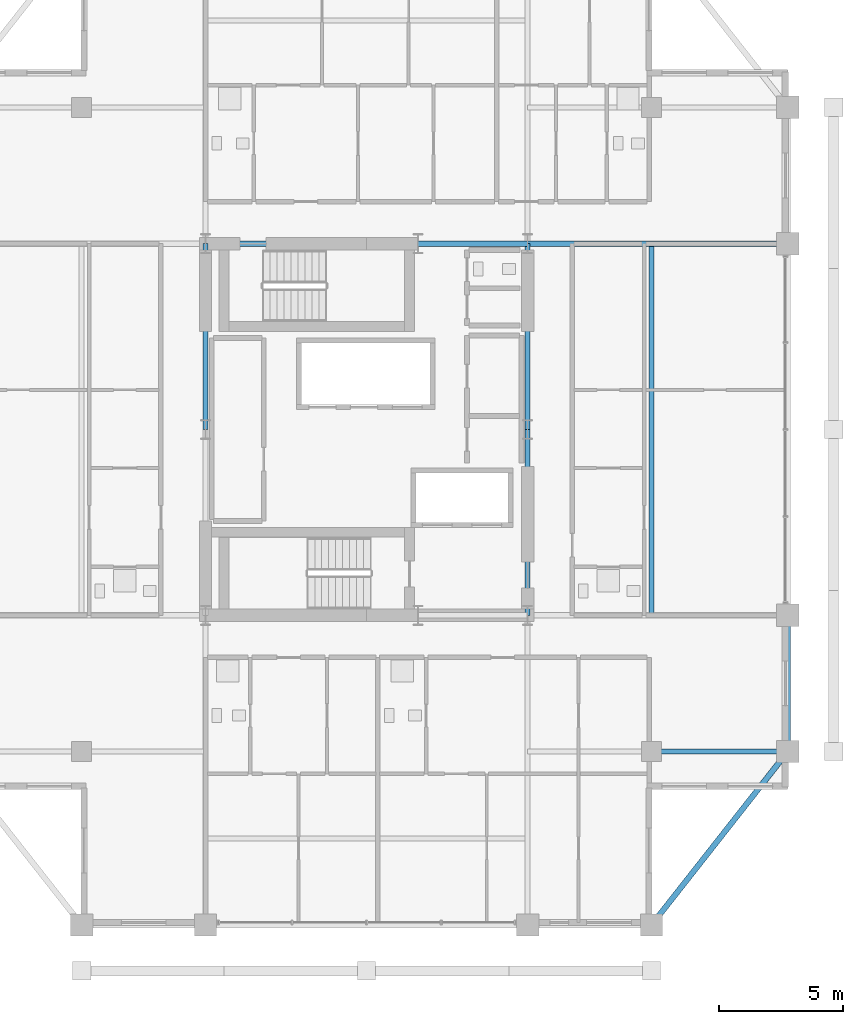
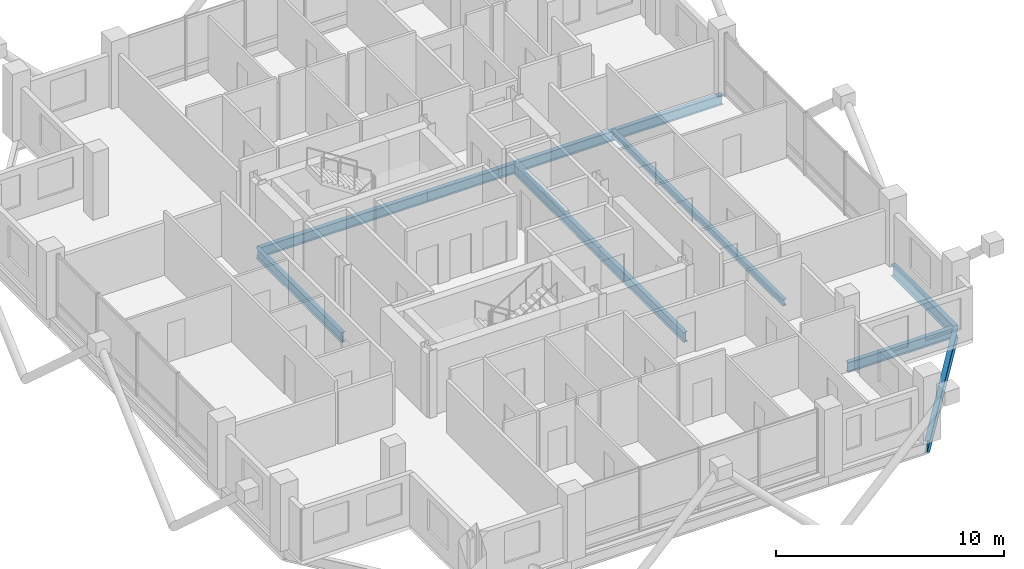
# One storey, part 10 of 24: 10 beams.
"""IFC4 building model written with IfcOpenShell, lengths in metres."""

from ifc_helpers import new_model, si_unit, direction, frame, origin, origin_2d, place, context, subcontext, project, spatial, i_section, extrude, material, material_profile, profile_set, type_object, element, save


model = new_model("IFC4")

# Units and contexts
model_context = context("Model", 3, precision=1e-05, world=origin(), true_north=direction((0.0, 1.0)))
body_context = subcontext(model_context, "Body", "Model", "MODEL_VIEW")
ifc_project = project(units=[si_unit("LENGTHUNIT", "METRE"), si_unit("AREAUNIT", "SQUARE_METRE"), si_unit("VOLUMEUNIT", "CUBIC_METRE"), si_unit("PLANEANGLEUNIT", "RADIAN"), si_unit("MASSUNIT", "GRAM", prefix="KILO")], contexts=[model_context])

# Site, building, storey
site_placement = place(None, origin())
site = spatial("IfcSite", under=ifc_project, at=site_placement, CompositionType="ELEMENT")
building_placement = place(site_placement, origin())
building = spatial("IfcBuilding", under=site, at=building_placement, Name="Barlavira Tower and Art Museum", CompositionType="ELEMENT")
storey_placement = place(building_placement, frame((0.0, 0.0, 225.89990234375)))
storey = spatial("IfcBuildingStorey", under=building, at=storey_placement, Name="L58", CompositionType="ELEMENT", Elevation=225.89990234375)

# Beams
ifc_material = material(Name="Steel S355", Category="steel")
ifc_material_profile_1 = material_profile(ifc_material, i_section(OverallWidth=0.22998046875, OverallDepth=0.616943359375, WebThickness=0.01318359375, FlangeThickness=0.022216796875, at=origin_2d()), Name="W610x140.0")
ifc_profile_set_1 = profile_set([ifc_material_profile_1], Name="Steel S355")
beam_type_1 = type_object("IfcBeamType", Name="Upper Shaft Spandrel Edge Beam W610x140 Steel S355", PredefinedType="SPANDREL", material=ifc_profile_set_1)
beam_1_placement = place(storey_placement, frame((11.5, -20.0, -0.5283203125), z_axis=(0.617821551932, 0.786318338822, 0.0), x_axis=(-0.786318338822, 0.617821551932, 0.0)))
element("IfcBeam", 1, at=beam_1_placement, inside=storey, type_object=beam_type_1, Name="L58 Spandrel 4", PredefinedType="SPANDREL", context=body_context, shape_type="SweptSolid", body=[
    extrude(i_section(OverallWidth=0.22998046875, OverallDepth=0.616943359375, WebThickness=0.01318359375, FlangeThickness=0.022216796875, at=origin_2d()), origin(), (0.0, 0.0, 1.0), 8.90234375),
])
beam_2_placement = place(storey_placement, frame((17.0, -13.0, -0.5283203125), z_axis=(0.0, 1.0, 0.0), x_axis=(-1.0, 0.0, 0.0)))
element("IfcBeam", 2, at=beam_2_placement, inside=storey, type_object=beam_type_1, Name="L58 Spandrel 5", PredefinedType="SPANDREL", context=body_context, shape_type="SweptSolid", body=[
    extrude(i_section(OverallWidth=0.22998046875, OverallDepth=0.616943359375, WebThickness=0.01318359375, FlangeThickness=0.022216796875, at=origin_2d()), origin(), (0.0, 0.0, 1.0), 5.5),
])
ifc_material_profile_2 = material_profile(ifc_material, i_section(OverallWidth=0.2109375, OverallDepth=0.5390625, WebThickness=0.01171875, FlangeThickness=0.018798828125, at=origin_2d()), Name="W530x109.0")
ifc_profile_set_2 = profile_set([ifc_material_profile_2], Name="Steel S355")
beam_type_2 = type_object("IfcBeamType", Name="Zone 3-4 Primary Floor Girder W530x109 Steel S355", PredefinedType="BEAM", material=ifc_profile_set_2)
beam_3_placement = place(storey_placement, frame((-6.5, 7.5, -0.489501953125), z_axis=(1.0, 0.0, 0.0), x_axis=(0.0, 1.0, 0.0)))
element("IfcBeam", 3, at=beam_3_placement, inside=storey, type_object=beam_type_2, Name="L58 Girder C-N1", PredefinedType="BEAM", context=body_context, shape_type="SweptSolid", body=[
    extrude(i_section(OverallWidth=0.2109375, OverallDepth=0.5390625, WebThickness=0.01171875, FlangeThickness=0.018798828125, at=origin_2d()), origin(), (0.0, 0.0, 1.0), 8.580078125),
])
beam_4_placement = place(storey_placement, frame((2.080078125, 7.5, -0.489501953125), z_axis=(1.0, 0.0, 0.0), x_axis=(0.0, 1.0, 0.0)))
element("IfcBeam", 4, at=beam_4_placement, inside=storey, type_object=beam_type_2, Name="L58 Girder C-N2", PredefinedType="BEAM", context=body_context, shape_type="SweptSolid", body=[
    extrude(i_section(OverallWidth=0.2109375, OverallDepth=0.5390625, WebThickness=0.01171875, FlangeThickness=0.018798828125, at=origin_2d()), origin(), (0.0, 0.0, 1.0), 4.419921875),
])
for number, where, z_axis, x_axis, name in (
    (5, (-6.5, 0.0, -0.489501953125), (0.0, 1.0, 0.0), (-1.0, 0.0, 0.0), "L58 Girder C-W2"),
    (6, (6.5, -7.5, -0.489501953125), (0.0, 1.0, 0.0), (-1.0, 0.0, 0.0), "L58 Girder C-E1"),
    (7, (6.5, 0.0, -0.489501953125), (0.0, 1.0, 0.0), (-1.0, 0.0, 0.0), "L58 Girder C-E2"),
):
    element("IfcBeam", number, at=place(storey_placement, frame(where, z_axis=z_axis, x_axis=x_axis)), inside=storey, type_object=beam_type_2, Name=name, PredefinedType="BEAM", context=body_context, shape_type="SweptSolid", body=[
        extrude(i_section(OverallWidth=0.2109375, OverallDepth=0.5390625, WebThickness=0.01171875, FlangeThickness=0.018798828125, at=origin_2d()), origin(), (0.0, 0.0, 1.0), 7.5),
    ])
beam_5_placement = place(storey_placement, frame((6.5, 7.5, -0.489501953125), z_axis=(1.0, 0.0, 0.0), x_axis=(0.0, 1.0, 0.0)))
element("IfcBeam", 8, at=beam_5_placement, inside=storey, type_object=beam_type_2, Name="L58 Girder R-E2", PredefinedType="BEAM", context=body_context, shape_type="SweptSolid", body=[
    extrude(i_section(OverallWidth=0.2109375, OverallDepth=0.5390625, WebThickness=0.01171875, FlangeThickness=0.018798828125, at=origin_2d()), origin(), (0.0, 0.0, 1.0), 10.5),
])
beam_6_placement = place(storey_placement, frame((11.5, -13.0, -0.489501953125), z_axis=(1.0, 0.0, 0.0), x_axis=(0.0, 1.0, 0.0)))
element("IfcBeam", 9, at=beam_6_placement, inside=storey, type_object=beam_type_2, Name="L58 Girder I-S4", PredefinedType="BEAM", context=body_context, shape_type="SweptSolid", body=[
    extrude(i_section(OverallWidth=0.2109375, OverallDepth=0.5390625, WebThickness=0.01171875, FlangeThickness=0.018798828125, at=origin_2d()), origin(), (0.0, 0.0, 1.0), 5.5),
])
ifc_material_profile_3 = material_profile(ifc_material, i_section(OverallWidth=0.202880859375, OverallDepth=0.346923828125, WebThickness=0.0078125, FlangeThickness=0.013427734375, at=origin_2d()), Name="W360x64.0")
ifc_profile_set_3 = profile_set([ifc_material_profile_3], Name="Steel S355")
beam_type_3 = type_object("IfcBeamType", Name="Zone 4 Composite Floor Joist W360x64 Steel S355", PredefinedType="JOIST", material=ifc_profile_set_3)
beam_7_placement = place(storey_placement, frame((11.5, -7.5, -0.393310546875), z_axis=(0.0, 1.0, 0.0), x_axis=(-1.0, 0.0, 0.0)))
element("IfcBeam", 10, at=beam_7_placement, inside=storey, type_object=beam_type_3, Name="L58 Joist W2", PredefinedType="JOIST", context=body_context, shape_type="SweptSolid", body=[
    extrude(i_section(OverallWidth=0.202880859375, OverallDepth=0.346923828125, WebThickness=0.0078125, FlangeThickness=0.013427734375, at=origin_2d()), origin(), (0.0, 0.0, 1.0), 15.0),
])

save(model, "model.ifc")
